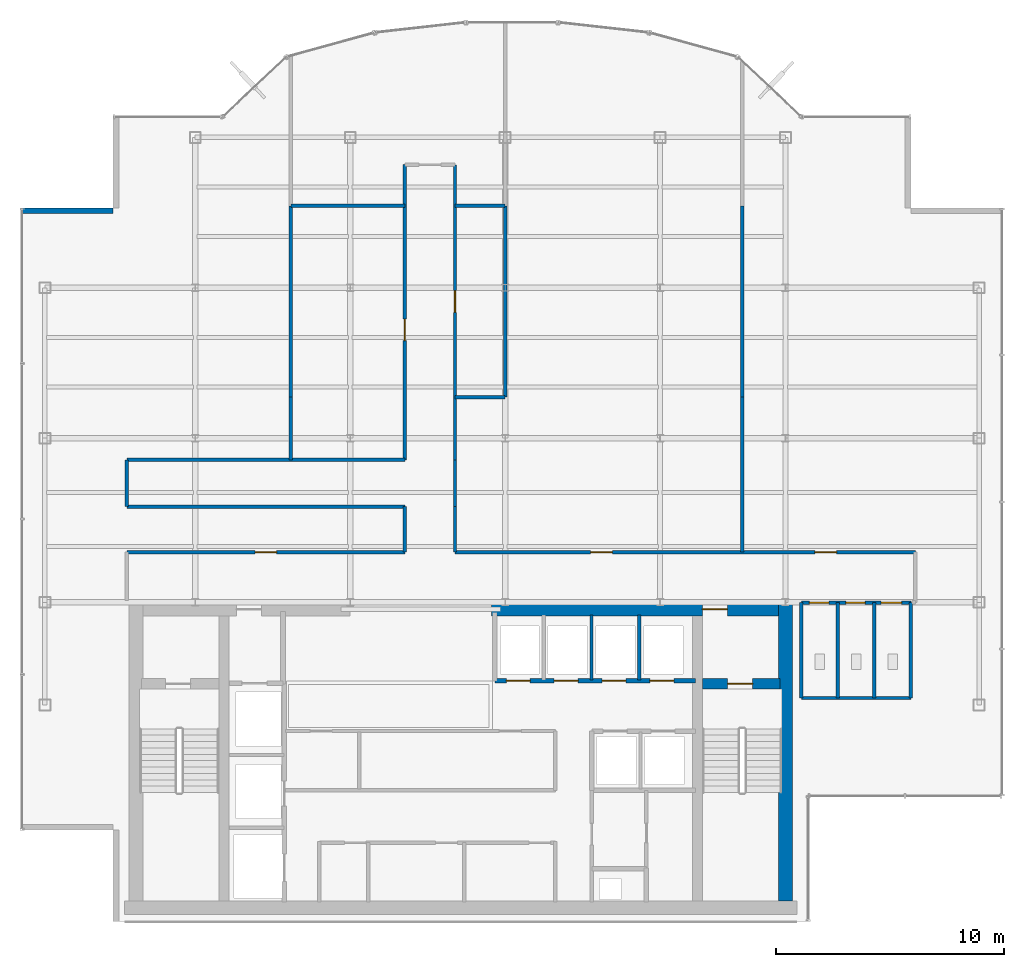
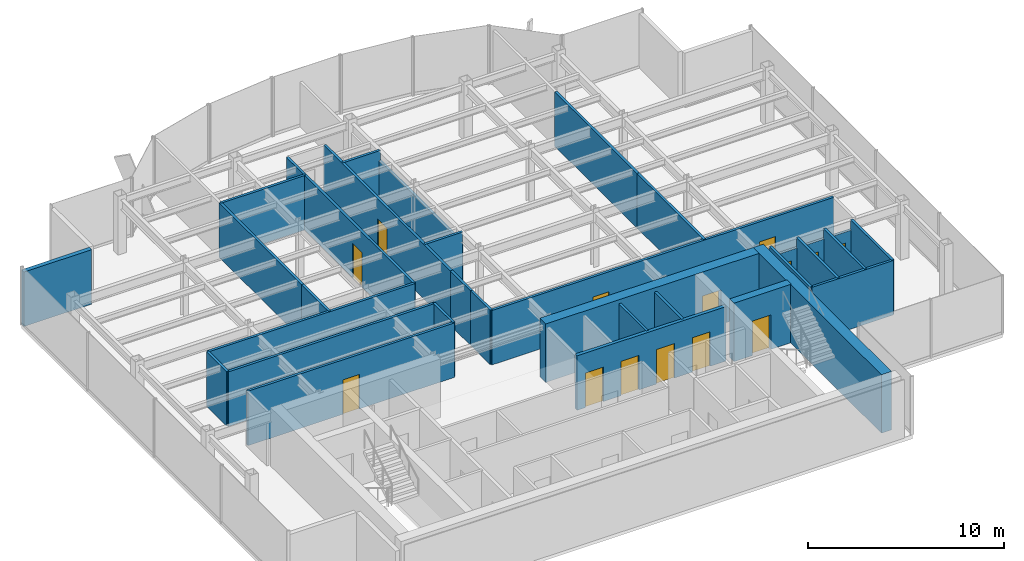
# One storey, part 18 of 22: 31 walls, 14 doors, 14 openings.
"""IFC4 building model written with IfcOpenShell, lengths in metres."""

from ifc_helpers import new_model, si_unit, derived_unit, direction, frame, frame_2d, origin, place, context, subcontext, project, spatial, rectangle, extrude, source, transform, mapped, material, layer, layer_set, type_object, element, fill, save


model = new_model("IFC4")

# Units and contexts
model_context = context("Model", 3, precision=1e-05, world=origin(), true_north=direction((0.0, 1.0)))
body_context = subcontext(model_context, "Body", "Model", "MODEL_VIEW")
ifc_project = project(units=[si_unit("LENGTHUNIT", "METRE"), si_unit("AREAUNIT", "SQUARE_METRE"), si_unit("VOLUMEUNIT", "CUBIC_METRE"), si_unit("PLANEANGLEUNIT", "RADIAN"), si_unit("MASSUNIT", "GRAM", prefix="KILO"), derived_unit("THERMALTRANSMITTANCEUNIT", [(si_unit("POWERUNIT", "WATT"), 1), (si_unit("LENGTHUNIT", "METRE"), -2), (si_unit("THERMODYNAMICTEMPERATUREUNIT", "KELVIN"), -1)])], contexts=[model_context])

# Site, building, storey
site_placement = place(None, origin())
site = spatial("IfcSite", under=ifc_project, at=site_placement, CompositionType="ELEMENT")
building_placement = place(site_placement, origin())
building = spatial("IfcBuilding", under=site, at=building_placement, Name="Skarnbrae Concourse Arena and Tower", CompositionType="ELEMENT")
storey_placement = place(building_placement, frame((0.0, 0.0, 206.85009765625)))
storey = spatial("IfcBuildingStorey", under=building, at=storey_placement, Name="L53", CompositionType="ELEMENT", Elevation=206.85009765625)

# Wall, opening, door
ifc_material_1 = material(Name="Concrete 50 MPa (C50/60)", Category="concrete")
ifc_layer_1 = layer(ifc_material_1, 0.449951171875)
ifc_layer_set_1 = layer_set([ifc_layer_1], Name="Concrete 50 MPa (C50/60)")
wall_type_1 = type_object("IfcWallType", Name="WALL-CORE-450-C50", PredefinedType="SHEAR", material=ifc_layer_set_1)
shared_shape_1 = source(origin(), body_context, "Body", "SweptSolid", [
    extrude(rectangle(XDim=3.389892578125, YDim=0.449951171875, at=frame_2d((1.69482421875, 0.0))), origin(), (0.0, 0.0, 1.0), 3.64990234375),
])
wall_1_placement = place(storey_placement, frame((29.860107421875, 10.419921875, 0.0), z_axis=(0.0, 0.0, 1.0), x_axis=(1.0, 0.0, 0.0)))
wall_1 = element("IfcWall", 1, at=wall_1_placement, inside=storey, type_object=wall_type_1, Name="L53 Rear core shear wall CW-ST2-N", PredefinedType="SHEAR", context=body_context, shape_type="MappedRepresentation", body=[
    mapped(shared_shape_1, transform((0.0, 0.0, 0.0))),
])
opening_1_placement = place(wall_1_placement, frame((1.10009765625, 0.0, 0.0)))
opening_1 = element("IfcOpeningElement", 2, at=opening_1_placement, cuts=wall_1, Name="Opening DT-03", PredefinedType="OPENING", context=body_context, shape_type="SweptSolid", body=[
    extrude(rectangle(XDim=1.10009765625, YDim=2.14990234375, at=frame_2d((0.550048828125, 1.074951171875))), frame((0.0, 0.23486328125, 0.0), z_axis=(0.0, -1.0, 0.0), x_axis=(1.0, 0.0, 0.0)), (0.0, 0.0, 1.0), 0.469970703125),
])
ifc_material_2 = material(Name="Steel CSA G40.21 350W", Category="steel")
door_type_1 = type_object("IfcDoorType", Name="DOOR-FIRE-1100-90M", OperationType="NOTDEFINED", PredefinedType="DOOR", material=ifc_material_2)
shared_shape_2 = source(origin(), body_context, "Body", "SweptSolid", [
    extrude(rectangle(XDim=1.10009765625, YDim=2.14990234375, at=frame_2d((0.550048828125, 1.074951171875))), frame((0.0, 0.02490234375, 0.0), z_axis=(0.0, -1.0, 0.0), x_axis=(1.0, 0.0, 0.0)), (0.0, 0.0, 1.0), 0.050048828125),
])
door_1_placement = place(opening_1_placement, frame((1.10009765625, 0.0, 0.0), z_axis=(0.0, 0.0, 1.0), x_axis=(-1.0, 0.0, 0.0)))
door_1 = element("IfcDoor", 3, at=door_1_placement, inside=storey, type_object=door_type_1, Name="D-1614 Stair ST-2 Door", OperationType="SINGLE_SWING_RIGHT", OverallHeight=2.14990234375, OverallWidth=1.10009765625, PredefinedType="DOOR", context=body_context, shape_type="MappedRepresentation", body=[
    mapped(shared_shape_2, transform((0.0, 0.0, 0.0))),
])
fill(opening_1, door_1)

# Wall
ifc_layer_2 = layer(ifc_material_1, 0.60009765625)
ifc_layer_set_2 = layer_set([ifc_layer_2], Name="Concrete 50 MPa (C50/60)")
wall_type_2 = type_object("IfcWallType", Name="WALL-CORE-600-C50", PredefinedType="SHEAR", material=ifc_layer_set_2)
shared_shape_3 = source(origin(), body_context, "Body", "SweptSolid", [
    extrude(rectangle(XDim=13.10009765625, YDim=0.60009765625, at=frame_2d((6.550048828125, 0.0))), origin(), (0.0, 0.0, 1.0), 3.64990234375),
])
wall_2_placement = place(storey_placement, frame((33.5, 0.89990234375, 0.0), z_axis=(0.0, 0.0, 1.0), x_axis=(0.0, 1.0, 0.0)))
element("IfcWall", 4, at=wall_2_placement, inside=storey, type_object=wall_type_2, Name="L53 Rear core shear wall CW-E", PredefinedType="SHEAR", context=body_context, shape_type="MappedRepresentation", body=[
    mapped(shared_shape_3, transform((0.0, 0.0, 0.0))),
])

# Wall, opening, door
shared_shape_4 = source(origin(), body_context, "Body", "SweptSolid", [
    extrude(rectangle(XDim=12.599853515625, YDim=0.60009765625, at=frame_2d((6.2998046875, 0.0))), origin(), (0.0, 0.0, 1.0), 3.64990234375),
])
wall_3_placement = place(storey_placement, frame((20.60009765625, 13.699951171875, 0.0), z_axis=(0.0, 0.0, 1.0), x_axis=(1.0, 0.0, 0.0)))
wall_3 = element("IfcWall", 5, at=wall_3_placement, inside=storey, type_object=wall_type_2, Name="L53 Rear core shear wall CW-NE", PredefinedType="SHEAR", context=body_context, shape_type="MappedRepresentation", body=[
    mapped(shared_shape_4, transform((0.0, 0.0, 0.0))),
])
opening_2_placement = place(wall_3_placement, frame((9.25, 0.0, 0.0)))
opening_2 = element("IfcOpeningElement", 6, at=opening_2_placement, cuts=wall_3, Name="Opening DT-03", PredefinedType="OPENING", context=body_context, shape_type="SweptSolid", body=[
    extrude(rectangle(XDim=1.10009765625, YDim=2.14990234375, at=frame_2d((0.550048828125, 1.074951171875))), frame((0.0, 0.31005859375, 0.0), z_axis=(0.0, -1.0, 0.0), x_axis=(1.0, 0.0, 0.0)), (0.0, 0.0, 1.0), 0.6201171875),
])
door_2_placement = place(opening_2_placement, origin())
door_2 = element("IfcDoor", 7, at=door_2_placement, inside=storey, type_object=door_type_1, Name="D-1616 Stair ST-2 Vestibule Door", OperationType="SINGLE_SWING_LEFT", OverallHeight=2.14990234375, OverallWidth=1.10009765625, PredefinedType="DOOR", context=body_context, shape_type="MappedRepresentation", body=[
    mapped(shared_shape_2, transform((0.0, 0.0, 0.0))),
])
fill(opening_2, door_2)

# Wall
ifc_material_3 = material(Name="Precast concrete 40 MPa (C40/50)", Category="concrete")
ifc_layer_3 = layer(ifc_material_3, 0.25)
ifc_layer_set_3 = layer_set([ifc_layer_3], Name="Precast concrete 40 MPa (C40/50)")
wall_type_3 = type_object("IfcWallType", Name="WALL-EXT-SPANDREL-250", PredefinedType="STANDARD", material=ifc_layer_set_3)
shared_shape_5 = source(origin(), body_context, "Body", "SweptSolid", [
    extrude(rectangle(XDim=4.0, YDim=0.25, at=frame_2d((2.0, 0.0))), origin(), (0.0, 0.0, 1.0), 3.39990234375),
])
wall_4_placement = place(storey_placement, frame((4.0, 31.175048828125, 0.0), z_axis=(0.0, 0.0, 1.0), x_axis=(-1.0, 0.0, 0.0)))
element("IfcWall", 8, at=wall_4_placement, inside=storey, type_object=wall_type_3, Name="L53 Notched corner insulated return wall 17", PredefinedType="STANDARD", context=body_context, shape_type="MappedRepresentation", body=[
    mapped(shared_shape_5, transform((0.0, 0.0, 0.0))),
])

# Wall, openings, doors
ifc_material_4 = material(Name="Gypsum board on cold-formed steel studs", Category="steel")
ifc_layer_4 = layer(ifc_material_4, 0.199951171875)
ifc_layer_set_4 = layer_set([ifc_layer_4], Name="Gypsum board on cold-formed steel studs")
wall_type_4 = type_object("IfcWallType", Name="WALL-PART-200-2HR", PredefinedType="PARTITIONING", material=ifc_layer_set_4)
shared_shape_6 = source(origin(), body_context, "Body", "SweptSolid", [
    extrude(rectangle(XDim=8.800048828125, YDim=0.199951171875, at=frame_2d((4.39990234375, 0.0))), origin(), (0.0, 0.0, 1.0), 3.39990234375),
])
wall_5_placement = place(storey_placement, frame((20.75, 10.550048828125, 0.0), z_axis=(0.0, 0.0, 1.0), x_axis=(1.0, 0.0, 0.0)))
wall_5 = element("IfcWall", 9, at=wall_5_placement, inside=storey, type_object=wall_type_4, Name="L53 Interior partition wall W-L53-B3N-S", PredefinedType="PARTITIONING", context=body_context, shape_type="MappedRepresentation", body=[
    mapped(shared_shape_6, transform((0.0, 0.0, 0.0))),
])
opening_3_placement = place(wall_5_placement, frame((0.5, 0.0, 0.0)))
opening_3 = element("IfcOpeningElement", 10, at=opening_3_placement, cuts=wall_5, Name="Opening LD-04", PredefinedType="OPENING", context=body_context, shape_type="SweptSolid", body=[
    extrude(rectangle(XDim=1.050048828125, YDim=2.14990234375, at=frame_2d((0.52490234375, 1.074951171875))), frame((0.0, 0.10986328125, 0.0), z_axis=(0.0, -1.0, 0.0), x_axis=(1.0, 0.0, 0.0)), (0.0, 0.0, 1.0), 0.219970703125),
])
opening_4_placement = place(wall_5_placement, frame((2.60009765625, 0.0, 0.0)))
opening_4 = element("IfcOpeningElement", 11, at=opening_4_placement, cuts=wall_5, Name="Opening LD-04", PredefinedType="OPENING", context=body_context, shape_type="SweptSolid", body=[
    extrude(rectangle(XDim=1.050048828125, YDim=2.14990234375, at=frame_2d((0.52490234375, 1.074951171875))), frame((0.0, 0.10986328125, 0.0), z_axis=(0.0, -1.0, 0.0), x_axis=(1.0, 0.0, 0.0)), (0.0, 0.0, 1.0), 0.219970703125),
])
opening_5_placement = place(wall_5_placement, frame((4.699951171875, 0.0, 0.0)))
opening_5 = element("IfcOpeningElement", 12, at=opening_5_placement, cuts=wall_5, Name="Opening LD-04", PredefinedType="OPENING", context=body_context, shape_type="SweptSolid", body=[
    extrude(rectangle(XDim=1.050048828125, YDim=2.14990234375, at=frame_2d((0.52490234375, 1.074951171875))), frame((0.0, 0.10986328125, 0.0), z_axis=(0.0, -1.0, 0.0), x_axis=(1.0, 0.0, 0.0)), (0.0, 0.0, 1.0), 0.219970703125),
])
opening_6_placement = place(wall_5_placement, frame((6.800048828125, 0.0, 0.0)))
opening_6 = element("IfcOpeningElement", 13, at=opening_6_placement, cuts=wall_5, Name="Opening LD-04", PredefinedType="OPENING", context=body_context, shape_type="SweptSolid", body=[
    extrude(rectangle(XDim=1.050048828125, YDim=2.14990234375, at=frame_2d((0.52490234375, 1.074951171875))), frame((0.0, 0.10986328125, 0.0), z_axis=(0.0, -1.0, 0.0), x_axis=(1.0, 0.0, 0.0)), (0.0, 0.0, 1.0), 0.219970703125),
])
ifc_material_5 = material(Name="Bronze anodised aluminium 6063-T6", Category="aluminium")
door_type_2 = type_object("IfcDoorType", Name="DOOR-LIFT-SLIDE-1050H", OperationType="SLIDING_TO_LEFT", PredefinedType="DOOR", material=ifc_material_5)
shared_shape_7 = source(origin(), body_context, "Body", "SweptSolid", [
    extrude(rectangle(XDim=1.050048828125, YDim=2.14990234375, at=frame_2d((0.52490234375, 1.074951171875))), frame((0.0, 0.02490234375, 0.0), z_axis=(0.0, -1.0, 0.0), x_axis=(1.0, 0.0, 0.0)), (0.0, 0.0, 1.0), 0.050048828125),
])
door_3_placement = place(opening_3_placement, frame((1.050048828125, 0.0, 0.0), z_axis=(0.0, 0.0, 1.0), x_axis=(-1.0, 0.0, 0.0)))
door_3 = element("IfcDoor", 14, at=door_3_placement, inside=storey, type_object=door_type_2, Name="D-1625 Passenger Lift Landing Door PL-3A", OperationType="SLIDING_TO_LEFT", OverallHeight=2.14990234375, OverallWidth=1.050048828125, PredefinedType="DOOR", context=body_context, shape_type="MappedRepresentation", body=[
    mapped(shared_shape_7, transform((0.0, 0.0, 0.0))),
])
fill(opening_3, door_3)
door_4_placement = place(opening_4_placement, frame((1.050048828125, 0.0, 0.0), z_axis=(0.0, 0.0, 1.0), x_axis=(-1.0, 0.0, 0.0)))
door_4 = element("IfcDoor", 15, at=door_4_placement, inside=storey, type_object=door_type_2, Name="D-1626 Passenger Lift Landing Door PL-3B", OperationType="SLIDING_TO_LEFT", OverallHeight=2.14990234375, OverallWidth=1.050048828125, PredefinedType="DOOR", context=body_context, shape_type="MappedRepresentation", body=[
    mapped(shared_shape_7, transform((0.0, 0.0, 0.0))),
])
fill(opening_4, door_4)
door_5_placement = place(opening_5_placement, frame((1.050048828125, 0.0, 0.0), z_axis=(0.0, 0.0, 1.0), x_axis=(-1.0, 0.0, 0.0)))
door_5 = element("IfcDoor", 16, at=door_5_placement, inside=storey, type_object=door_type_2, Name="D-1627 Passenger Lift Landing Door PL-3C", OperationType="SLIDING_TO_LEFT", OverallHeight=2.14990234375, OverallWidth=1.050048828125, PredefinedType="DOOR", context=body_context, shape_type="MappedRepresentation", body=[
    mapped(shared_shape_7, transform((0.0, 0.0, 0.0))),
])
fill(opening_5, door_5)
door_6_placement = place(opening_6_placement, frame((1.050048828125, 0.0, 0.0), z_axis=(0.0, 0.0, 1.0), x_axis=(-1.0, 0.0, 0.0)))
door_6 = element("IfcDoor", 17, at=door_6_placement, inside=storey, type_object=door_type_2, Name="D-1628 Passenger Lift Landing Door PL-3D", OperationType="SLIDING_TO_LEFT", OverallHeight=2.14990234375, OverallWidth=1.050048828125, PredefinedType="DOOR", context=body_context, shape_type="MappedRepresentation", body=[
    mapped(shared_shape_7, transform((0.0, 0.0, 0.0))),
])
fill(opening_6, door_6)

# Walls
ifc_layer_5 = layer(ifc_material_4, 0.14990234375)
ifc_layer_set_5 = layer_set([ifc_layer_5], Name="Gypsum board on cold-formed steel studs")
wall_type_5 = type_object("IfcWallType", Name="WALL-PART-150", PredefinedType="PARTITIONING", material=ifc_layer_set_5)
shared_shape_8 = source(origin(), body_context, "Body", "SweptSolid", [
    extrude(rectangle(XDim=2.849853515625, YDim=0.14990234375, at=frame_2d((1.4248046875, 0.0))), origin(), (0.0, 0.0, 1.0), 3.39990234375),
])
for number, where, z_axis, x_axis, name in (
    (18, (24.989990234375, 10.60009765625, 0.0), (0.0, 0.0, 1.0), (0.0, 1.0, 0.0), "L53 Interior partition wall W-L53-B3N-P2"),
    (19, (27.090087890625, 10.60009765625, 0.0), (0.0, 0.0, 1.0), (0.0, 1.0, 0.0), "L53 Interior partition wall W-L53-B3N-P3"),
):
    element("IfcWall", number, at=place(storey_placement, frame(where, z_axis=z_axis, x_axis=x_axis)), inside=storey, type_object=wall_type_5, Name=name, PredefinedType="PARTITIONING", context=body_context, shape_type="MappedRepresentation", body=[
        mapped(shared_shape_8, transform((0.0, 0.0, 0.0))),
    ])
shared_shape_9 = source(origin(), body_context, "Body", "SweptSolid", [
    extrude(rectangle(XDim=4.800048828125, YDim=0.14990234375, at=frame_2d((2.39990234375, 0.0))), origin(), (0.0, 0.0, 1.0), 3.39990234375),
])
wall_6_placement = place(storey_placement, frame((34.199951171875, 9.800048828125, 0.0), z_axis=(0.0, 0.0, 1.0), x_axis=(1.0, 0.0, 0.0)))
element("IfcWall", 20, at=wall_6_placement, inside=storey, type_object=wall_type_5, Name="L53 Interior partition wall W-L53-WC-S", PredefinedType="PARTITIONING", context=body_context, shape_type="MappedRepresentation", body=[
    mapped(shared_shape_9, transform((0.0, 0.0, 0.0))),
])
shared_shape_10 = source(origin(), body_context, "Body", "SweptSolid", [
    extrude(rectangle(XDim=4.179931640625, YDim=0.14990234375, at=frame_2d((2.08984375, 0.0))), origin(), (0.0, 0.0, 1.0), 3.39990234375),
])
for number, where, z_axis, x_axis, name in (
    (21, (39.0, 9.800048828125, 0.0), (0.0, 0.0, 1.0), (0.0, 1.0, 0.0), "L53 Interior partition wall W-L53-WC-E"),
    (22, (34.199951171875, 9.800048828125, 0.0), (0.0, 0.0, 1.0), (0.0, 1.0, 0.0), "L53 Interior partition wall W-L53-WC-W"),
    (23, (35.800048828125, 9.800048828125, 0.0), (0.0, 0.0, 1.0), (0.0, 1.0, 0.0), "L53 Interior partition wall W-L53-WC-D1"),
    (24, (37.39990234375, 9.800048828125, 0.0), (0.0, 0.0, 1.0), (0.0, 1.0, 0.0), "L53 Interior partition wall W-L53-WC-D2"),
):
    element("IfcWall", number, at=place(storey_placement, frame(where, z_axis=z_axis, x_axis=x_axis)), inside=storey, type_object=wall_type_5, Name=name, PredefinedType="PARTITIONING", context=body_context, shape_type="MappedRepresentation", body=[
        mapped(shared_shape_10, transform((0.0, 0.0, 0.0))),
    ])
ifc_layer_6 = layer(ifc_material_4, 0.14990234375)
ifc_layer_set_6 = layer_set([ifc_layer_6], Name="Gypsum board on cold-formed steel studs")
wall_type_6 = type_object("IfcWallType", Name="WALL-PART-150-1HR", PredefinedType="PARTITIONING", material=ifc_layer_set_6)
shared_shape_11 = source(origin(), body_context, "Body", "SweptSolid", [
    extrude(rectangle(XDim=2.050048828125, YDim=0.14990234375, at=frame_2d((1.02490234375, 0.0))), origin(), (0.0, 0.0, 1.0), 3.39990234375),
])
for number, where, z_axis, x_axis, name in (
    (25, (4.60009765625, 18.199951171875, 0.0), (0.0, 0.0, 1.0), (0.0, 1.0, 0.0), "L53 Interior partition wall W-L53-COR-05"),
    (26, (19.0, 20.25, 0.0), (0.0, 0.0, 1.0), (0.0, -1.0, 0.0), "L53 Interior partition wall W-L53-COR-10"),
):
    element("IfcWall", number, at=place(storey_placement, frame(where, z_axis=z_axis, x_axis=x_axis)), inside=storey, type_object=wall_type_6, Name=name, PredefinedType="PARTITIONING", context=body_context, shape_type="MappedRepresentation", body=[
        mapped(shared_shape_11, transform((0.0, 0.0, 0.0))),
    ])
shared_shape_12 = source(origin(), body_context, "Body", "SweptSolid", [
    extrude(rectangle(XDim=2.199951171875, YDim=0.14990234375, at=frame_2d((1.10009765625, 0.0))), origin(), (0.0, 0.0, 1.0), 3.39990234375),
])
for number, where, z_axis, x_axis, name in (
    (27, (21.199951171875, 23.0, 0.0), (0.0, 0.0, 1.0), (-1.0, 0.0, 0.0), "L53 Interior partition wall W-L53-DEM-20"),
    (28, (21.199951171875, 31.39990234375, 0.0), (0.0, 0.0, 1.0), (-1.0, 0.0, 0.0), "L53 Interior partition wall W-L53-DEM-21"),
):
    element("IfcWall", number, at=place(storey_placement, frame(where, z_axis=z_axis, x_axis=x_axis)), inside=storey, type_object=wall_type_5, Name=name, PredefinedType="PARTITIONING", context=body_context, shape_type="MappedRepresentation", body=[
        mapped(shared_shape_12, transform((0.0, 0.0, 0.0))),
    ])

# Wall, opening, door
shared_shape_13 = source(origin(), body_context, "Body", "SweptSolid", [
    extrude(rectangle(XDim=12.199951171875, YDim=0.14990234375, at=frame_2d((6.10009765625, 0.0))), origin(), (0.0, 0.0, 1.0), 3.39990234375),
])
wall_7_placement = place(storey_placement, frame((4.60009765625, 16.199951171875, 0.0), z_axis=(0.0, 0.0, 1.0), x_axis=(1.0, 0.0, 0.0)))
wall_7 = element("IfcWall", 29, at=wall_7_placement, inside=storey, type_object=wall_type_6, Name="L53 Interior partition wall W-L53-COR-02", PredefinedType="PARTITIONING", context=body_context, shape_type="MappedRepresentation", body=[
    mapped(shared_shape_13, transform((0.0, 0.0, 0.0))),
])
opening_7_placement = place(wall_7_placement, frame((5.625, 0.0, 0.0)))
opening_7 = element("IfcOpeningElement", 30, at=opening_7_placement, cuts=wall_7, Name="Opening DT-04", PredefinedType="OPENING", context=body_context, shape_type="SweptSolid", body=[
    extrude(rectangle(XDim=0.949951171875, YDim=2.14990234375, at=frame_2d((0.47509765625, 1.074951171875))), frame((0.0, 0.0849609375, 0.0), z_axis=(0.0, -1.0, 0.0), x_axis=(1.0, 0.0, 0.0)), (0.0, 0.0, 1.0), 0.169921875),
])
door_type_3 = type_object("IfcDoorType", Name="DOOR-INT-950-45M", OperationType="NOTDEFINED", PredefinedType="DOOR", material=ifc_material_2)
shared_shape_14 = source(origin(), body_context, "Body", "SweptSolid", [
    extrude(rectangle(XDim=0.949951171875, YDim=2.14990234375, at=frame_2d((0.47509765625, 1.074951171875))), frame((0.0, 0.02490234375, 0.0), z_axis=(0.0, -1.0, 0.0), x_axis=(1.0, 0.0, 0.0)), (0.0, 0.0, 1.0), 0.050048828125),
])
door_7_placement = place(opening_7_placement, origin())
door_7 = element("IfcDoor", 31, at=door_7_placement, inside=storey, type_object=door_type_3, Name="D-1636 L53 Suite Door 01", OperationType="SINGLE_SWING_LEFT", OverallHeight=2.14990234375, OverallWidth=0.949951171875, PredefinedType="DOOR", context=body_context, shape_type="MappedRepresentation", body=[
    mapped(shared_shape_14, transform((0.0, 0.0, 0.0))),
])
fill(opening_7, door_7)

# Walls
for number, where, z_axis, x_axis, name in (
    (32, (16.800048828125, 18.199951171875, 0.0), (0.0, 0.0, 1.0), (-1.0, 0.0, 0.0), "L53 Interior partition wall W-L53-COR-04"),
    (33, (4.60009765625, 20.25, 0.0), (0.0, 0.0, 1.0), (1.0, 0.0, 0.0), "L53 Interior partition wall W-L53-COR-06"),
):
    element("IfcWall", number, at=place(storey_placement, frame(where, z_axis=z_axis, x_axis=x_axis)), inside=storey, type_object=wall_type_6, Name=name, PredefinedType="PARTITIONING", context=body_context, shape_type="MappedRepresentation", body=[
        mapped(shared_shape_13, transform((0.0, 0.0, 0.0))),
    ])

# Wall, openings, doors
shared_shape_15 = source(origin(), body_context, "Body", "SweptSolid", [
    extrude(rectangle(XDim=4.800048828125, YDim=0.14990234375, at=frame_2d((2.39990234375, 0.0))), origin(), (0.0, 0.0, 1.0), 2.786865234375),
])
wall_8_placement = place(storey_placement, frame((34.199951171875, 13.97998046875, 0.0), z_axis=(0.0, 0.0, 1.0), x_axis=(1.0, 0.0, 0.0)))
wall_8 = element("IfcWall", 34, at=wall_8_placement, inside=storey, type_object=wall_type_5, Name="L53 Interior partition wall W-L53-WC-N", PredefinedType="PARTITIONING", context=body_context, shape_type="MappedRepresentation", body=[
    mapped(shared_shape_15, transform((0.0, 0.0, 0.0))),
])
opening_8_placement = place(wall_8_placement, frame((0.35009765625, 0.0, 0.0)))
opening_8 = element("IfcOpeningElement", 35, at=opening_8_placement, cuts=wall_8, Name="Opening DT-06", PredefinedType="OPENING", context=body_context, shape_type="SweptSolid", body=[
    extrude(rectangle(XDim=0.85009765625, YDim=2.10009765625, at=frame_2d((0.425048828125, 1.050048828125))), frame((0.0, 0.0849609375, 0.0), z_axis=(0.0, -1.0, 0.0), x_axis=(1.0, 0.0, 0.0)), (0.0, 0.0, 1.0), 0.169921875),
])
opening_9_placement = place(wall_8_placement, frame((1.949951171875, 0.0, 0.0)))
opening_9 = element("IfcOpeningElement", 36, at=opening_9_placement, cuts=wall_8, Name="Opening DT-06", PredefinedType="OPENING", context=body_context, shape_type="SweptSolid", body=[
    extrude(rectangle(XDim=0.85009765625, YDim=2.10009765625, at=frame_2d((0.425048828125, 1.050048828125))), frame((0.0, 0.0849609375, 0.0), z_axis=(0.0, -1.0, 0.0), x_axis=(1.0, 0.0, 0.0)), (0.0, 0.0, 1.0), 0.169921875),
])
opening_10_placement = place(wall_8_placement, frame((3.5, 0.0, 0.0)))
opening_10 = element("IfcOpeningElement", 37, at=opening_10_placement, cuts=wall_8, Name="Opening DT-05", PredefinedType="OPENING", context=body_context, shape_type="SweptSolid", body=[
    extrude(rectangle(XDim=0.89990234375, YDim=2.10009765625, at=frame_2d((0.449951171875, 1.050048828125))), frame((0.0, 0.0849609375, 0.0), z_axis=(0.0, -1.0, 0.0), x_axis=(1.0, 0.0, 0.0)), (0.0, 0.0, 1.0), 0.169921875),
])
ifc_material_6 = material(Name="Architectural oak veneer timber leaf", Category="wood")
door_type_4 = type_object("IfcDoorType", Name="DOOR-INT-850", OperationType="NOTDEFINED", PredefinedType="DOOR", material=ifc_material_6)
shared_shape_16 = source(origin(), body_context, "Body", "SweptSolid", [
    extrude(rectangle(XDim=0.85009765625, YDim=2.10009765625, at=frame_2d((0.425048828125, 1.050048828125))), frame((0.0, 0.02490234375, 0.0), z_axis=(0.0, -1.0, 0.0), x_axis=(1.0, 0.0, 0.0)), (0.0, 0.0, 1.0), 0.050048828125),
])
door_8_placement = place(opening_8_placement, frame((0.85009765625, 0.0, 0.0), z_axis=(0.0, 0.0, 1.0), x_axis=(-1.0, 0.0, 0.0)))
door_8 = element("IfcDoor", 38, at=door_8_placement, inside=storey, type_object=door_type_4, Name="D-1633 Male Washroom Door", OperationType="SINGLE_SWING_LEFT", OverallHeight=2.10009765625, OverallWidth=0.85009765625, PredefinedType="DOOR", context=body_context, shape_type="MappedRepresentation", body=[
    mapped(shared_shape_16, transform((0.0, 0.0, 0.0))),
])
fill(opening_8, door_8)
door_9_placement = place(opening_9_placement, frame((0.85009765625, 0.0, 0.0), z_axis=(0.0, 0.0, 1.0), x_axis=(-1.0, 0.0, 0.0)))
door_9 = element("IfcDoor", 39, at=door_9_placement, inside=storey, type_object=door_type_4, Name="D-1634 Female Washroom Door", OperationType="SINGLE_SWING_RIGHT", OverallHeight=2.10009765625, OverallWidth=0.85009765625, PredefinedType="DOOR", context=body_context, shape_type="MappedRepresentation", body=[
    mapped(shared_shape_16, transform((0.0, 0.0, 0.0))),
])
fill(opening_9, door_9)
door_type_5 = type_object("IfcDoorType", Name="DOOR-INT-900", OperationType="NOTDEFINED", PredefinedType="DOOR", material=ifc_material_6)
shared_shape_17 = source(origin(), body_context, "Body", "SweptSolid", [
    extrude(rectangle(XDim=0.89990234375, YDim=2.10009765625, at=frame_2d((0.449951171875, 1.050048828125))), frame((0.0, 0.02490234375, 0.0), z_axis=(0.0, -1.0, 0.0), x_axis=(1.0, 0.0, 0.0)), (0.0, 0.0, 1.0), 0.050048828125),
])
door_10_placement = place(opening_10_placement, frame((0.89990234375, 0.0, 0.0), z_axis=(0.0, 0.0, 1.0), x_axis=(-1.0, 0.0, 0.0)))
door_10 = element("IfcDoor", 40, at=door_10_placement, inside=storey, type_object=door_type_5, Name="D-1635 Accessible WC Door", OperationType="SINGLE_SWING_LEFT", OverallHeight=2.10009765625, OverallWidth=0.89990234375, PredefinedType="DOOR", context=body_context, shape_type="MappedRepresentation", body=[
    mapped(shared_shape_17, transform((0.0, 0.0, 0.0))),
])
fill(opening_10, door_10)

shared_shape_18 = source(origin(), body_context, "Body", "SweptSolid", [
    extrude(rectangle(XDim=20.199951171875, YDim=0.14990234375, at=frame_2d((10.10009765625, 0.0))), origin(), (0.0, 0.0, 1.0), 3.39990234375),
])
wall_9_placement = place(storey_placement, frame((19.0, 16.199951171875, 0.0), z_axis=(0.0, 0.0, 1.0), x_axis=(1.0, 0.0, 0.0)))
wall_9 = element("IfcWall", 41, at=wall_9_placement, inside=storey, type_object=wall_type_6, Name="L53 Interior partition wall W-L53-COR-12", PredefinedType="PARTITIONING", context=body_context, shape_type="MappedRepresentation", body=[
    mapped(shared_shape_18, transform((0.0, 0.0, 0.0))),
])
opening_11_placement = place(wall_9_placement, frame((5.955078125, 0.0, 0.0)))
opening_11 = element("IfcOpeningElement", 42, at=opening_11_placement, cuts=wall_9, Name="Opening DT-04", PredefinedType="OPENING", context=body_context, shape_type="SweptSolid", body=[
    extrude(rectangle(XDim=0.949951171875, YDim=2.14990234375, at=frame_2d((0.47509765625, 1.074951171875))), frame((0.0, 0.0849609375, 0.0), z_axis=(0.0, -1.0, 0.0), x_axis=(1.0, 0.0, 0.0)), (0.0, 0.0, 1.0), 0.169921875),
])
opening_12_placement = place(wall_9_placement, frame((15.794921875, 0.0, 0.0)))
opening_12 = element("IfcOpeningElement", 43, at=opening_12_placement, cuts=wall_9, Name="Opening DT-04", PredefinedType="OPENING", context=body_context, shape_type="SweptSolid", body=[
    extrude(rectangle(XDim=0.949951171875, YDim=2.14990234375, at=frame_2d((0.47509765625, 1.074951171875))), frame((0.0, 0.0849609375, 0.0), z_axis=(0.0, -1.0, 0.0), x_axis=(1.0, 0.0, 0.0)), (0.0, 0.0, 1.0), 0.169921875),
])
door_11_placement = place(opening_11_placement, origin())
door_11 = element("IfcDoor", 44, at=door_11_placement, inside=storey, type_object=door_type_3, Name="D-1640 L53 Suite Door 05", OperationType="SINGLE_SWING_LEFT", OverallHeight=2.14990234375, OverallWidth=0.949951171875, PredefinedType="DOOR", context=body_context, shape_type="MappedRepresentation", body=[
    mapped(shared_shape_14, transform((0.0, 0.0, 0.0))),
])
fill(opening_11, door_11)
door_12_placement = place(opening_12_placement, origin())
door_12 = element("IfcDoor", 45, at=door_12_placement, inside=storey, type_object=door_type_3, Name="D-1641 L53 Suite Door 06", OperationType="SINGLE_SWING_RIGHT", OverallHeight=2.14990234375, OverallWidth=0.949951171875, PredefinedType="DOOR", context=body_context, shape_type="MappedRepresentation", body=[
    mapped(shared_shape_14, transform((0.0, 0.0, 0.0))),
])
fill(opening_12, door_12)

# Walls
shared_shape_19 = source(origin(), body_context, "Body", "SweptSolid", [
    extrude(rectangle(XDim=6.800048828125, YDim=0.14990234375, at=frame_2d((3.39990234375, 0.0))), origin(), (0.0, 0.0, 1.0), 3.39990234375),
])
wall_10_placement = place(storey_placement, frame((31.60009765625, 23.0, 0.0), z_axis=(0.0, 0.0, 1.0), x_axis=(0.0, -1.0, 0.0)))
element("IfcWall", 46, at=wall_10_placement, inside=storey, type_object=wall_type_5, Name="L53 Interior partition wall W-L53-DEM-25", PredefinedType="PARTITIONING", context=body_context, shape_type="MappedRepresentation", body=[
    mapped(shared_shape_19, transform((0.0, 0.0, 0.0))),
])
shared_shape_20 = source(origin(), body_context, "Body", "SweptSolid", [
    extrude(rectangle(XDim=2.0, YDim=0.14990234375, at=frame_2d((1.0, 0.0))), origin(), (0.0, 0.0, 1.0), 3.39990234375),
])
for number, where, z_axis, x_axis, name in (
    (47, (16.800048828125, 16.199951171875, 0.0), (0.0, 0.0, 1.0), (0.0, 1.0, 0.0), "L53 Interior partition wall W-L53-COR-03"),
    (48, (19.0, 18.199951171875, 0.0), (0.0, 0.0, 1.0), (0.0, -1.0, 0.0), "L53 Interior partition wall W-L53-COR-11"),
):
    element("IfcWall", number, at=place(storey_placement, frame(where, z_axis=z_axis, x_axis=x_axis)), inside=storey, type_object=wall_type_6, Name=name, PredefinedType="PARTITIONING", context=body_context, shape_type="MappedRepresentation", body=[
        mapped(shared_shape_20, transform((0.0, 0.0, 0.0))),
    ])

# Wall, opening, door
shared_shape_21 = source(origin(), body_context, "Body", "SweptSolid", [
    extrude(rectangle(XDim=12.949951171875, YDim=0.14990234375, at=frame_2d((6.47509765625, 0.0))), origin(), (0.0, 0.0, 1.0), 3.39990234375),
])
wall_11_placement = place(storey_placement, frame((16.800048828125, 20.25, 0.0), z_axis=(0.0, 0.0, 1.0), x_axis=(0.0, 1.0, 0.0)))
wall_11 = element("IfcWall", 49, at=wall_11_placement, inside=storey, type_object=wall_type_6, Name="L53 Interior partition wall W-L53-COR-07", PredefinedType="PARTITIONING", context=body_context, shape_type="MappedRepresentation", body=[
    mapped(shared_shape_21, transform((0.0, 0.0, 0.0))),
])
opening_13_placement = place(wall_11_placement, frame((5.22998046875, 0.0, 0.0)))
opening_13 = element("IfcOpeningElement", 50, at=opening_13_placement, cuts=wall_11, Name="Opening DT-04", PredefinedType="OPENING", context=body_context, shape_type="SweptSolid", body=[
    extrude(rectangle(XDim=0.949951171875, YDim=2.14990234375, at=frame_2d((0.47509765625, 1.074951171875))), frame((0.0, 0.0849609375, 0.0), z_axis=(0.0, -1.0, 0.0), x_axis=(1.0, 0.0, 0.0)), (0.0, 0.0, 1.0), 0.169921875),
])
door_13_placement = place(opening_13_placement, origin())
door_13 = element("IfcDoor", 51, at=door_13_placement, inside=storey, type_object=door_type_3, Name="D-1637 L53 Suite Door 02", OperationType="SINGLE_SWING_RIGHT", OverallHeight=2.14990234375, OverallWidth=0.949951171875, PredefinedType="DOOR", context=body_context, shape_type="MappedRepresentation", body=[
    mapped(shared_shape_14, transform((0.0, 0.0, 0.0))),
])
fill(opening_13, door_13)

wall_12_placement = place(storey_placement, frame((19.0, 33.199951171875, 0.0), z_axis=(0.0, 0.0, 1.0), x_axis=(0.0, -1.0, 0.0)))
wall_12 = element("IfcWall", 52, at=wall_12_placement, inside=storey, type_object=wall_type_6, Name="L53 Interior partition wall W-L53-COR-09", PredefinedType="PARTITIONING", context=body_context, shape_type="MappedRepresentation", body=[
    mapped(shared_shape_21, transform((0.0, 0.0, 0.0))),
])
opening_14_placement = place(wall_12_placement, frame((5.52490234375, 0.0, 0.0)))
opening_14 = element("IfcOpeningElement", 53, at=opening_14_placement, cuts=wall_12, Name="Opening DT-04", PredefinedType="OPENING", context=body_context, shape_type="SweptSolid", body=[
    extrude(rectangle(XDim=0.949951171875, YDim=2.14990234375, at=frame_2d((0.47509765625, 1.074951171875))), frame((0.0, 0.0849609375, 0.0), z_axis=(0.0, -1.0, 0.0), x_axis=(1.0, 0.0, 0.0)), (0.0, 0.0, 1.0), 0.169921875),
])
door_14_placement = place(opening_14_placement, origin())
door_14 = element("IfcDoor", 54, at=door_14_placement, inside=storey, type_object=door_type_3, Name="D-1639 L53 Suite Door 04", OperationType="SINGLE_SWING_RIGHT", OverallHeight=2.14990234375, OverallWidth=0.949951171875, PredefinedType="DOOR", context=body_context, shape_type="MappedRepresentation", body=[
    mapped(shared_shape_14, transform((0.0, 0.0, 0.0))),
])
fill(opening_14, door_14)

# Walls
shared_shape_22 = source(origin(), body_context, "Body", "SweptSolid", [
    extrude(rectangle(XDim=8.39990234375, YDim=0.14990234375, at=frame_2d((4.199951171875, 0.0))), origin(), (0.0, 0.0, 1.0), 3.39990234375),
])
for number, where, z_axis, x_axis, name in (
    (55, (11.800048828125, 31.39990234375, 0.0), (0.0, 0.0, 1.0), (0.0, -1.0, 0.0), "L53 Interior partition wall W-L53-DEM-15"),
    (56, (31.60009765625, 31.39990234375, 0.0), (0.0, 0.0, 1.0), (0.0, -1.0, 0.0), "L53 Interior partition wall W-L53-DEM-24"),
):
    element("IfcWall", number, at=place(storey_placement, frame(where, z_axis=z_axis, x_axis=x_axis)), inside=storey, type_object=wall_type_5, Name=name, PredefinedType="PARTITIONING", context=body_context, shape_type="MappedRepresentation", body=[
        mapped(shared_shape_22, transform((0.0, 0.0, 0.0))),
    ])
shared_shape_23 = source(origin(), body_context, "Body", "SweptSolid", [
    extrude(rectangle(XDim=2.75, YDim=0.14990234375, at=frame_2d((1.375, 0.0))), origin(), (0.0, 0.0, 1.0), 3.39990234375),
])
wall_13_placement = place(storey_placement, frame((11.800048828125, 23.0, 0.0), z_axis=(0.0, 0.0, 1.0), x_axis=(0.0, -1.0, 0.0)))
element("IfcWall", 57, at=wall_13_placement, inside=storey, type_object=wall_type_5, Name="L53 Interior partition wall W-L53-DEM-16", PredefinedType="PARTITIONING", context=body_context, shape_type="MappedRepresentation", body=[
    mapped(shared_shape_23, transform((0.0, 0.0, 0.0))),
])
shared_shape_24 = source(origin(), body_context, "Body", "SweptSolid", [
    extrude(rectangle(XDim=5.0, YDim=0.14990234375, at=frame_2d((2.5, 0.0))), origin(), (0.0, 0.0, 1.0), 3.39990234375),
])
wall_14_placement = place(storey_placement, frame((11.800048828125, 31.39990234375, 0.0), z_axis=(0.0, 0.0, 1.0), x_axis=(1.0, 0.0, 0.0)))
element("IfcWall", 58, at=wall_14_placement, inside=storey, type_object=wall_type_5, Name="L53 Interior partition wall W-L53-DEM-17", PredefinedType="PARTITIONING", context=body_context, shape_type="MappedRepresentation", body=[
    mapped(shared_shape_24, transform((0.0, 0.0, 0.0))),
])
shared_shape_25 = source(origin(), body_context, "Body", "SweptSolid", [
    extrude(rectangle(XDim=8.39990234375, YDim=0.14990234375, at=frame_2d((4.199951171875, 0.0))), origin(), (0.0, 0.0, 1.0), 2.786865234375),
])
wall_15_placement = place(storey_placement, frame((21.199951171875, 31.39990234375, 0.0), z_axis=(0.0, 0.0, 1.0), x_axis=(0.0, -1.0, 0.0)))
element("IfcWall", 59, at=wall_15_placement, inside=storey, type_object=wall_type_5, Name="L53 Interior partition wall W-L53-DEM-19", PredefinedType="PARTITIONING", context=body_context, shape_type="MappedRepresentation", body=[
    mapped(shared_shape_25, transform((0.0, 0.0, 0.0))),
])

save(model, "model.ifc")
